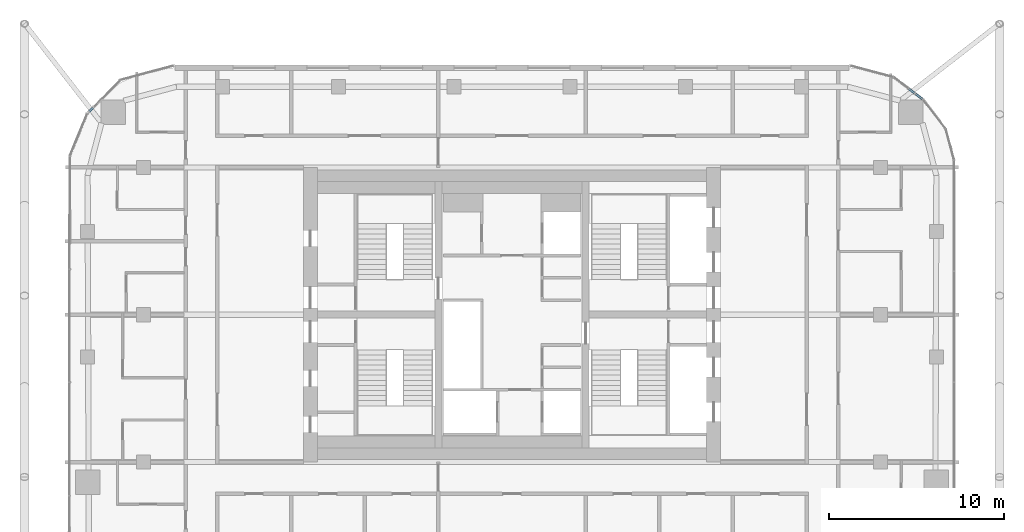
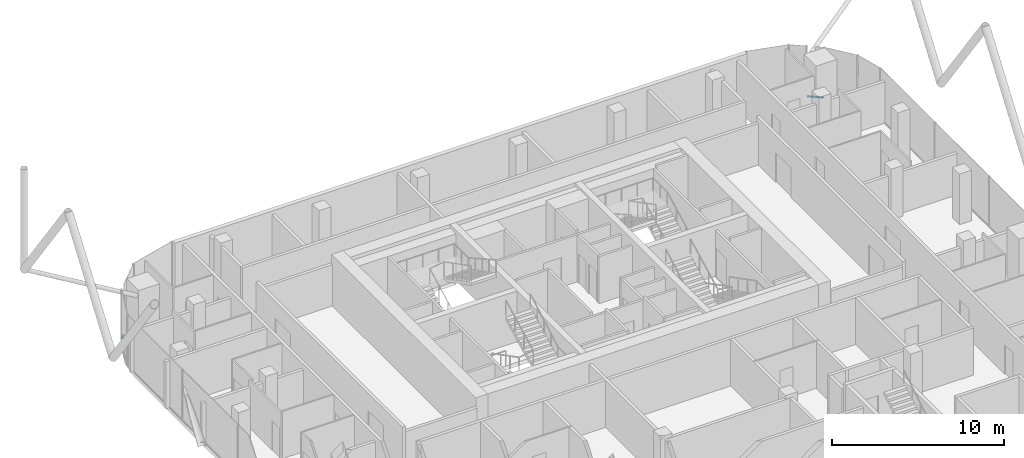
# One storey, part 13 of 28: 3 members, 3 elements without a shape of their own.
"""IFC4 building model written with IfcOpenShell, lengths in metres."""

import ifcopenshell
import ifcopenshell.guid

model = None  # the IFC model being written
_history = None  # IfcOwnerHistory: only IFC2X3 demands one
_inside = {}  # id of a spatial element -> (the spatial element, [elements in it])
_under = {}  # id of a project, library or spatial element -> (it, [spatial elements below it])
_declared = {}  # id of a project -> (the project, [libraries it declares])
_typed = {}  # id of a type object -> (the type object, [elements of that type])
_made_of = {}  # id of a material, layer set ... -> (it, [elements and type objects made of it])


def new_model(schema):
    """Start an empty IFC model of exactly this schema.

    Asked for "IFC4X3", IfcOpenShell would pick the latest addendum, in which some entities
    have other attributes; the version numbers below select the first issue.
    IFC2X3 requires an IfcOwnerHistory on every rooted entity: one is made here for all.
    """
    global model, _history
    if schema == "IFC4X3":
        model = ifcopenshell.file(schema_version=(4, 3, 0, 0))
    else:
        model = ifcopenshell.file(schema=schema)
    _inside.clear()
    _under.clear()
    _declared.clear()
    _typed.clear()
    _made_of.clear()
    _history = None
    if model.schema == "IFC2X3":
        org = make("IfcOrganization", Name="unknown")
        user = make(
            "IfcPersonAndOrganization",
            ThePerson=make("IfcPerson", FamilyName="unknown"),
            TheOrganization=org,
        )
        app = make(
            "IfcApplication",
            ApplicationDeveloper=org,
            Version="unknown",
            ApplicationFullName="unknown",
            ApplicationIdentifier="unknown",
        )
        _history = make(
            "IfcOwnerHistory",
            OwningUser=user,
            OwningApplication=app,
            ChangeAction="ADDED",
            CreationDate=0,
        )
    return model


def make(cls, **values):
    """One entity of the class cls with the attributes given. An attribute that is None is left unset."""
    return model.create_entity(
        cls, **{name: value for name, value in values.items() if value is not None}
    )


def rooted(cls, **values):
    """An entity with a GlobalId (a new one), such as an element, a storey or a relation."""
    return make(cls, GlobalId=ifcopenshell.guid.new(), OwnerHistory=_history, **values)


def si_unit(unit_type, name, prefix=None):
    """IfcSIUnit, for example si_unit("LENGTHUNIT", "METRE", prefix="MILLI")."""
    return make("IfcSIUnit", UnitType=unit_type, Prefix=prefix, Name=name)


def assignment(units):
    """IfcUnitAssignment: the units of a project."""
    return None if units is None else make("IfcUnitAssignment", Units=units)


def point(xyz):
    """IfcCartesianPoint."""
    return None if xyz is None else make("IfcCartesianPoint", Coordinates=xyz)


def direction(xyz):
    """IfcDirection."""
    return None if xyz is None else make("IfcDirection", DirectionRatios=xyz)


def frame(location, z_axis=None, x_axis=None):
    """IfcAxis2Placement3D, a coordinate frame: its origin and axes. An axis left out is left unset."""
    return make(
        "IfcAxis2Placement3D",
        Location=point(location),
        Axis=direction(z_axis),
        RefDirection=direction(x_axis),
    )


def frame_2d(location, x_axis=None):
    """IfcAxis2Placement2D, a coordinate frame in the plane: its origin and x axis."""
    return make(
        "IfcAxis2Placement2D", Location=point(location), RefDirection=direction(x_axis)
    )


def origin():
    """The frame at (0, 0, 0) with its axes left unset."""
    return frame((0.0, 0.0, 0.0))


def origin_2d():
    """The frame at (0, 0) in the plane with its x axis left unset."""
    return frame_2d((0.0, 0.0))


def place(relative_to, where):
    """IfcLocalPlacement: puts the frame where relative to a parent placement (None: the world)."""
    return make(
        "IfcLocalPlacement", PlacementRelTo=relative_to, RelativePlacement=where
    )


def context(
    kind, dimensions, precision=None, world=None, true_north=None, identifier=None
):
    """IfcGeometricRepresentationContext, for example the 3D "Model" context."""
    return make(
        "IfcGeometricRepresentationContext",
        ContextIdentifier=identifier,
        ContextType=kind,
        CoordinateSpaceDimension=dimensions,
        Precision=precision,
        WorldCoordinateSystem=world,
        TrueNorth=true_north,
    )


def subcontext(parent, identifier, kind, view, scale=None):
    """IfcGeometricRepresentationSubContext, for example "Body" below "Model"."""
    return make(
        "IfcGeometricRepresentationSubContext",
        ContextIdentifier=identifier,
        ContextType=kind,
        ParentContext=parent,
        TargetScale=scale,
        TargetView=view,
    )


def project(units=None, contexts=None):
    """IfcProject with its units and contexts."""
    return rooted(
        "IfcProject",
        Name="project",
        RepresentationContexts=contexts,
        UnitsInContext=assignment(units),
    )


def spatial(cls, under=None, at=None, **own):
    """A site, building, storey or space (cls), placed at a placement, below another one or the project."""
    s = rooted(cls, ObjectPlacement=at, **own)
    if under is not None:
        _under.setdefault(under.id(), (under, []))[1].append(s)
    return s


def profile(cls, at=None, kind="AREA", **sizes):
    """A parametric profile (cls). Its sizes go by their IFC names, for example OverallWidth=200.0."""
    return make(cls, ProfileType=kind, Position=at, **sizes)


def rectangle(**sizes):
    """IfcRectangleProfileDef."""
    return profile("IfcRectangleProfileDef", **sizes)


def extrude(swept, where, along, depth):
    """IfcExtrudedAreaSolid: the profile swept, set in the frame where, extruded along a direction by depth."""
    return make(
        "IfcExtrudedAreaSolid",
        SweptArea=swept,
        Position=where,
        ExtrudedDirection=direction(along),
        Depth=depth,
    )


def shape(context_of_items, identifier, shape_type, items):
    """IfcShapeRepresentation: the items that make up one representation, for example the "Body"."""
    return make(
        "IfcShapeRepresentation",
        ContextOfItems=context_of_items,
        RepresentationIdentifier=identifier,
        RepresentationType=shape_type,
        Items=items,
    )


def material(Name=None, Category=None):
    """IfcMaterial."""
    return make("IfcMaterial", Name=Name, Category=Category)


def layer(
    of_material, thickness, ventilated=None, Name=None, Category=None, Priority=None
):
    """IfcMaterialLayer: one layer of a wall or slab, of a material (None: an air gap)."""
    return make(
        "IfcMaterialLayer",
        Material=of_material,
        LayerThickness=thickness,
        IsVentilated=ventilated,
        Name=Name,
        Category=Category,
        Priority=Priority,
    )


def layer_set(layers, Name=None):
    """IfcMaterialLayerSet."""
    return make("IfcMaterialLayerSet", MaterialLayers=layers, LayerSetName=Name)


def material_profile(
    of_material, cross_section, Name=None, Category=None, Priority=None
):
    """IfcMaterialProfile: a cross section and its material."""
    return make(
        "IfcMaterialProfile",
        Name=Name,
        Material=of_material,
        Profile=cross_section,
        Priority=Priority,
        Category=Category,
    )


def profile_set(profiles, Name=None, composite=None):
    """IfcMaterialProfileSet."""
    return make(
        "IfcMaterialProfileSet",
        Name=Name,
        MaterialProfiles=profiles,
        CompositeProfile=composite,
    )


def made_of(thing, what):
    """Note that an element or type object is made of a material, layer set ...; save() writes the relation."""
    if what is not None:
        _made_of.setdefault(what.id(), (what, []))[1].append(thing)
    return thing


def type_object(cls, material=None, **own):
    """A type object (cls), such as IfcWallType, which elements share."""
    return made_of(rooted(cls, **own), material)


def element(
    cls,
    number,
    at=None,
    inside=None,
    cuts=None,
    type_object=None,
    material=None,
    context=None,
    identifier="Body",
    shape_type=None,
    held_by="IfcProductDefinitionShape",
    body=None,
    shapes=None,
    **own,
):
    """One element of the class cls, such as IfcWall. Its Tag is "e" and its number.

    at: its placement. inside: the storey or other place that contains it. cuts: it is an
    opening in that element (IfcRelVoidsElement). A single representation is given by context,
    identifier, shape_type and body (its items); several are given by shapes. held_by: the class
    of the entity that holds the representations. save() writes the other relations.
    """
    e = rooted(cls, Tag="e%d" % number, ObjectPlacement=at, **own)
    if body is not None:
        shapes = [shape(context, identifier, shape_type, body)]
    if shapes is not None:
        e.Representation = make(held_by, Representations=shapes)
    if inside is not None:
        _inside.setdefault(inside.id(), (inside, []))[1].append(e)
    if cuts is not None:
        rooted(
            "IfcRelVoidsElement", RelatingBuildingElement=cuts, RelatedOpeningElement=e
        )
    if type_object is not None:
        _typed.setdefault(type_object.id(), (type_object, []))[1].append(e)
    return made_of(e, material)


def aggregate(whole, parts):
    """IfcRelAggregates: a whole, such as a stair, and the parts it consists of."""
    return rooted("IfcRelAggregates", RelatingObject=whole, RelatedObjects=parts)


def save(model, path):
    """Write the relations noted so far, then the file.

    IfcRelAggregates (storeys below a building ...), IfcRelContainedInSpatialStructure (elements
    in a storey), IfcRelDefinesByType, IfcRelAssociatesMaterial and IfcRelDeclares: one each for
    every whole, place, type object, material and project.
    """
    for whole, parts in _under.values():
        aggregate(whole, parts)
    for where, things in _inside.values():
        rooted(
            "IfcRelContainedInSpatialStructure",
            RelatedElements=things,
            RelatingStructure=where,
        )
    for kind, things in _typed.values():
        rooted("IfcRelDefinesByType", RelatedObjects=things, RelatingType=kind)
    for what, things in _made_of.values():
        rooted("IfcRelAssociatesMaterial", RelatedObjects=things, RelatingMaterial=what)
    for by, libraries in _declared.values():
        rooted("IfcRelDeclares", RelatingContext=by, RelatedDefinitions=libraries)
    model.write(path)


model = new_model("IFC4")

# Units and contexts
model_context = context("Model", 3, precision=1e-05, world=origin(), true_north=direction((0.0, 1.0)))
body_context = subcontext(model_context, "Body", "Model", "MODEL_VIEW")
ifc_project = project(units=[si_unit("LENGTHUNIT", "METRE"), si_unit("AREAUNIT", "SQUARE_METRE"), si_unit("VOLUMEUNIT", "CUBIC_METRE"), si_unit("PLANEANGLEUNIT", "RADIAN"), si_unit("MASSUNIT", "GRAM", prefix="KILO")], contexts=[model_context])

# Site, building, storey
site_placement = place(None, origin())
site = spatial("IfcSite", under=ifc_project, at=site_placement, CompositionType="ELEMENT")
building_placement = place(site_placement, origin())
building = spatial("IfcBuilding", under=site, at=building_placement, Name="Marenta Gate Hotel Tower", CompositionType="ELEMENT")
storey_placement = place(building_placement, frame((0.0, 0.0, 227.300048828125)))
storey = spatial("IfcBuildingStorey", under=building, at=storey_placement, Name="L53", CompositionType="ELEMENT", Elevation=227.300048828125)

# Curtain wall, member
ifc_material_1 = material(Name="Tinted insulated glass in bronze anodised frame", Category="glass")
ifc_layer = layer(ifc_material_1, 0.1201171875)
ifc_layer_set = layer_set([ifc_layer], Name="Tinted insulated glass in bronze anodised frame")
curtain_wall_type = type_object("IfcCurtainWallType", Name="Tower unitised curtain wall CW1", PredefinedType="NOTDEFINED", material=ifc_layer_set)
curtain_wall_1_placement = place(storey_placement, origin())
curtain_wall_1 = element("IfcCurtainWall", 1, at=curtain_wall_1_placement, inside=storey, type_object=curtain_wall_type, Name="CW1 run G02", PredefinedType="NOTDEFINED")
ifc_material_2 = material(Name="Bronze anodised aluminium", Category="aluminium")
ifc_material_profile = material_profile(ifc_material_2, rectangle(XDim=0.1201171875, YDim=0.06005859375, at=origin_2d()), Name="Transom CW1 60x120 bronze anodised aluminium")
ifc_profile_set = profile_set([ifc_material_profile], Name="Bronze anodised aluminium")
member_type = type_object("IfcMemberType", Name="Transom CW1 60x120 bronze anodised aluminium", PredefinedType="USERDEFINED", material=ifc_profile_set)
member_1_placement = place(storey_placement, frame((-23.884521484375, 20.220458984375, 0.030029296875), z_axis=(-0.707106781187, -0.707106781187, 0.0), x_axis=(0.707106781187, -0.707106781187, 0.0)))
member_1 = element("IfcMember", 2, at=member_1_placement, type_object=member_type, Name="CW1 transom 1.1", ObjectType="TRANSOM", PredefinedType="USERDEFINED", context=body_context, shape_type="SweptSolid", body=[
    extrude(rectangle(XDim=0.1201171875, YDim=0.06005859375, at=origin_2d()), origin(), (0.0, 0.0, 1.0), 0.336669921875),
])
aggregate(curtain_wall_1, [member_1])

curtain_wall_2_placement = place(storey_placement, origin())
curtain_wall_2 = element("IfcCurtainWall", 3, at=curtain_wall_2_placement, inside=storey, type_object=curtain_wall_type, Name="CW1 run G22", PredefinedType="NOTDEFINED")
member_2_placement = place(storey_placement, frame((23.405029296875, 20.689208984375, 0.030029296875), z_axis=(-0.793396206785, 0.608705560233, 0.0), x_axis=(-0.608705560233, -0.793396206785, 0.0)))
member_2 = element("IfcMember", 4, at=member_2_placement, type_object=member_type, Name="CW1 transom 1.1", ObjectType="TRANSOM", PredefinedType="USERDEFINED", context=body_context, shape_type="SweptSolid", body=[
    extrude(rectangle(XDim=0.1201171875, YDim=0.06005859375, at=origin_2d()), origin(), (0.0, 0.0, 1.0), 0.5048828125),
])
aggregate(curtain_wall_2, [member_2])

curtain_wall_3_placement = place(storey_placement, origin())
curtain_wall_3 = element("IfcCurtainWall", 5, at=curtain_wall_3_placement, inside=storey, type_object=curtain_wall_type, Name="CW1 run G23", PredefinedType="NOTDEFINED")
member_3_placement = place(storey_placement, frame((22.956787109375, 21.033203125, 0.030029296875), z_axis=(-0.793423480353, 0.608670009796, 0.0), x_axis=(-0.608670009796, -0.793423480353, 0.0)))
member_3 = element("IfcMember", 6, at=member_3_placement, type_object=member_type, Name="CW1 transom 1.1", ObjectType="TRANSOM", PredefinedType="USERDEFINED", context=body_context, shape_type="SweptSolid", body=[
    extrude(rectangle(XDim=0.1201171875, YDim=0.06005859375, at=origin_2d()), origin(), (0.0, 0.0, 1.0), 0.408203125),
])
aggregate(curtain_wall_3, [member_3])

save(model, "model.ifc")
